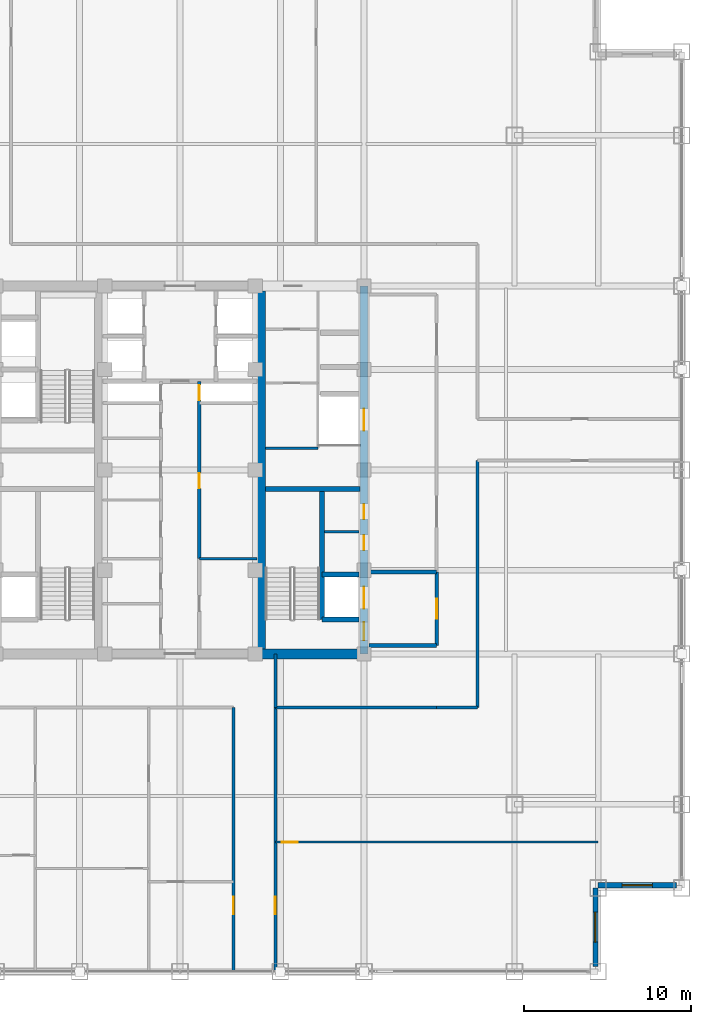
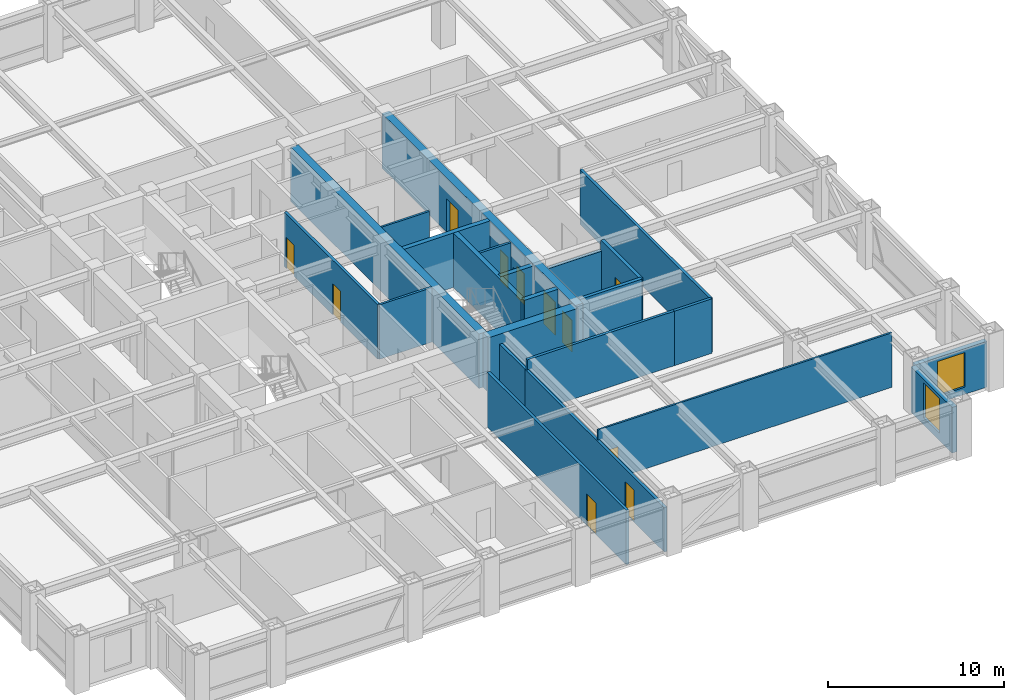
# One storey, part 21 of 24: 23 walls, 11 doors, 2 windows, 13 openings.
"""IFC4 building model written with IfcOpenShell, lengths in metres."""

import ifcopenshell
import ifcopenshell.guid

model = None  # the IFC model being written
_history = None  # IfcOwnerHistory: only IFC2X3 demands one
_inside = {}  # id of a spatial element -> (the spatial element, [elements in it])
_under = {}  # id of a project, library or spatial element -> (it, [spatial elements below it])
_declared = {}  # id of a project -> (the project, [libraries it declares])
_typed = {}  # id of a type object -> (the type object, [elements of that type])
_made_of = {}  # id of a material, layer set ... -> (it, [elements and type objects made of it])


def new_model(schema):
    """Start an empty IFC model of exactly this schema.

    Asked for "IFC4X3", IfcOpenShell would pick the latest addendum, in which some entities
    have other attributes; the version numbers below select the first issue.
    IFC2X3 requires an IfcOwnerHistory on every rooted entity: one is made here for all.
    """
    global model, _history
    if schema == "IFC4X3":
        model = ifcopenshell.file(schema_version=(4, 3, 0, 0))
    else:
        model = ifcopenshell.file(schema=schema)
    _inside.clear()
    _under.clear()
    _declared.clear()
    _typed.clear()
    _made_of.clear()
    _history = None
    if model.schema == "IFC2X3":
        org = make("IfcOrganization", Name="unknown")
        user = make(
            "IfcPersonAndOrganization",
            ThePerson=make("IfcPerson", FamilyName="unknown"),
            TheOrganization=org,
        )
        app = make(
            "IfcApplication",
            ApplicationDeveloper=org,
            Version="unknown",
            ApplicationFullName="unknown",
            ApplicationIdentifier="unknown",
        )
        _history = make(
            "IfcOwnerHistory",
            OwningUser=user,
            OwningApplication=app,
            ChangeAction="ADDED",
            CreationDate=0,
        )
    return model


def make(cls, **values):
    """One entity of the class cls with the attributes given. An attribute that is None is left unset."""
    return model.create_entity(
        cls, **{name: value for name, value in values.items() if value is not None}
    )


def rooted(cls, **values):
    """An entity with a GlobalId (a new one), such as an element, a storey or a relation."""
    return make(cls, GlobalId=ifcopenshell.guid.new(), OwnerHistory=_history, **values)


def si_unit(unit_type, name, prefix=None):
    """IfcSIUnit, for example si_unit("LENGTHUNIT", "METRE", prefix="MILLI")."""
    return make("IfcSIUnit", UnitType=unit_type, Prefix=prefix, Name=name)


def assignment(units):
    """IfcUnitAssignment: the units of a project."""
    return None if units is None else make("IfcUnitAssignment", Units=units)


def point(xyz):
    """IfcCartesianPoint."""
    return None if xyz is None else make("IfcCartesianPoint", Coordinates=xyz)


def direction(xyz):
    """IfcDirection."""
    return None if xyz is None else make("IfcDirection", DirectionRatios=xyz)


def frame(location, z_axis=None, x_axis=None):
    """IfcAxis2Placement3D, a coordinate frame: its origin and axes. An axis left out is left unset."""
    return make(
        "IfcAxis2Placement3D",
        Location=point(location),
        Axis=direction(z_axis),
        RefDirection=direction(x_axis),
    )


def frame_2d(location, x_axis=None):
    """IfcAxis2Placement2D, a coordinate frame in the plane: its origin and x axis."""
    return make(
        "IfcAxis2Placement2D", Location=point(location), RefDirection=direction(x_axis)
    )


def origin():
    """The frame at (0, 0, 0) with its axes left unset."""
    return frame((0.0, 0.0, 0.0))


def place(relative_to, where):
    """IfcLocalPlacement: puts the frame where relative to a parent placement (None: the world)."""
    return make(
        "IfcLocalPlacement", PlacementRelTo=relative_to, RelativePlacement=where
    )


def context(
    kind, dimensions, precision=None, world=None, true_north=None, identifier=None
):
    """IfcGeometricRepresentationContext, for example the 3D "Model" context."""
    return make(
        "IfcGeometricRepresentationContext",
        ContextIdentifier=identifier,
        ContextType=kind,
        CoordinateSpaceDimension=dimensions,
        Precision=precision,
        WorldCoordinateSystem=world,
        TrueNorth=true_north,
    )


def subcontext(parent, identifier, kind, view, scale=None):
    """IfcGeometricRepresentationSubContext, for example "Body" below "Model"."""
    return make(
        "IfcGeometricRepresentationSubContext",
        ContextIdentifier=identifier,
        ContextType=kind,
        ParentContext=parent,
        TargetScale=scale,
        TargetView=view,
    )


def project(units=None, contexts=None):
    """IfcProject with its units and contexts."""
    return rooted(
        "IfcProject",
        Name="project",
        RepresentationContexts=contexts,
        UnitsInContext=assignment(units),
    )


def spatial(cls, under=None, at=None, **own):
    """A site, building, storey or space (cls), placed at a placement, below another one or the project."""
    s = rooted(cls, ObjectPlacement=at, **own)
    if under is not None:
        _under.setdefault(under.id(), (under, []))[1].append(s)
    return s


def profile(cls, at=None, kind="AREA", **sizes):
    """A parametric profile (cls). Its sizes go by their IFC names, for example OverallWidth=200.0."""
    return make(cls, ProfileType=kind, Position=at, **sizes)


def rectangle(**sizes):
    """IfcRectangleProfileDef."""
    return profile("IfcRectangleProfileDef", **sizes)


def extrude(swept, where, along, depth):
    """IfcExtrudedAreaSolid: the profile swept, set in the frame where, extruded along a direction by depth."""
    return make(
        "IfcExtrudedAreaSolid",
        SweptArea=swept,
        Position=where,
        ExtrudedDirection=direction(along),
        Depth=depth,
    )


def shape(context_of_items, identifier, shape_type, items):
    """IfcShapeRepresentation: the items that make up one representation, for example the "Body"."""
    return make(
        "IfcShapeRepresentation",
        ContextOfItems=context_of_items,
        RepresentationIdentifier=identifier,
        RepresentationType=shape_type,
        Items=items,
    )


def source(mapping_origin, context_of_items, identifier, shape_type, items):
    """IfcRepresentationMap: a shape defined once, which mapped items show again and again."""
    return make(
        "IfcRepresentationMap",
        MappingOrigin=mapping_origin,
        MappedRepresentation=shape(context_of_items, identifier, shape_type, items),
    )


def transform(
    local_origin,
    x_axis=None,
    y_axis=None,
    z_axis=None,
    scale=None,
    scale2=None,
    scale3=None,
    uniform=True,
):
    """IfcCartesianTransformationOperator3D, or its non-uniform kind. x_axis, y_axis, z_axis: its Axis1, 2, 3."""
    if uniform:
        return make(
            "IfcCartesianTransformationOperator3D",
            Axis1=direction(x_axis),
            Axis2=direction(y_axis),
            LocalOrigin=point(local_origin),
            Scale=scale,
            Axis3=direction(z_axis),
        )
    return make(
        "IfcCartesianTransformationOperator3DnonUniform",
        Axis1=direction(x_axis),
        Axis2=direction(y_axis),
        LocalOrigin=point(local_origin),
        Scale=scale,
        Axis3=direction(z_axis),
        Scale2=scale2,
        Scale3=scale3,
    )


def mapped(mapping_source, mapping_target):
    """IfcMappedItem: shows the shape of a source again, moved by a transform."""
    return make(
        "IfcMappedItem", MappingSource=mapping_source, MappingTarget=mapping_target
    )


def material(Name=None, Category=None):
    """IfcMaterial."""
    return make("IfcMaterial", Name=Name, Category=Category)


def layer(
    of_material, thickness, ventilated=None, Name=None, Category=None, Priority=None
):
    """IfcMaterialLayer: one layer of a wall or slab, of a material (None: an air gap)."""
    return make(
        "IfcMaterialLayer",
        Material=of_material,
        LayerThickness=thickness,
        IsVentilated=ventilated,
        Name=Name,
        Category=Category,
        Priority=Priority,
    )


def layer_set(layers, Name=None):
    """IfcMaterialLayerSet."""
    return make("IfcMaterialLayerSet", MaterialLayers=layers, LayerSetName=Name)


def made_of(thing, what):
    """Note that an element or type object is made of a material, layer set ...; save() writes the relation."""
    if what is not None:
        _made_of.setdefault(what.id(), (what, []))[1].append(thing)
    return thing


def type_object(cls, material=None, **own):
    """A type object (cls), such as IfcWallType, which elements share."""
    return made_of(rooted(cls, **own), material)


def element(
    cls,
    number,
    at=None,
    inside=None,
    cuts=None,
    type_object=None,
    material=None,
    context=None,
    identifier="Body",
    shape_type=None,
    held_by="IfcProductDefinitionShape",
    body=None,
    shapes=None,
    **own,
):
    """One element of the class cls, such as IfcWall. Its Tag is "e" and its number.

    at: its placement. inside: the storey or other place that contains it. cuts: it is an
    opening in that element (IfcRelVoidsElement). A single representation is given by context,
    identifier, shape_type and body (its items); several are given by shapes. held_by: the class
    of the entity that holds the representations. save() writes the other relations.
    """
    e = rooted(cls, Tag="e%d" % number, ObjectPlacement=at, **own)
    if body is not None:
        shapes = [shape(context, identifier, shape_type, body)]
    if shapes is not None:
        e.Representation = make(held_by, Representations=shapes)
    if inside is not None:
        _inside.setdefault(inside.id(), (inside, []))[1].append(e)
    if cuts is not None:
        rooted(
            "IfcRelVoidsElement", RelatingBuildingElement=cuts, RelatedOpeningElement=e
        )
    if type_object is not None:
        _typed.setdefault(type_object.id(), (type_object, []))[1].append(e)
    return made_of(e, material)


def fill(opening, filler):
    """IfcRelFillsElement: the door or window that sits in an opening."""
    return rooted(
        "IfcRelFillsElement",
        RelatingOpeningElement=opening,
        RelatedBuildingElement=filler,
    )


def aggregate(whole, parts):
    """IfcRelAggregates: a whole, such as a stair, and the parts it consists of."""
    return rooted("IfcRelAggregates", RelatingObject=whole, RelatedObjects=parts)


def save(model, path):
    """Write the relations noted so far, then the file.

    IfcRelAggregates (storeys below a building ...), IfcRelContainedInSpatialStructure (elements
    in a storey), IfcRelDefinesByType, IfcRelAssociatesMaterial and IfcRelDeclares: one each for
    every whole, place, type object, material and project.
    """
    for whole, parts in _under.values():
        aggregate(whole, parts)
    for where, things in _inside.values():
        rooted(
            "IfcRelContainedInSpatialStructure",
            RelatedElements=things,
            RelatingStructure=where,
        )
    for kind, things in _typed.values():
        rooted("IfcRelDefinesByType", RelatedObjects=things, RelatingType=kind)
    for what, things in _made_of.values():
        rooted("IfcRelAssociatesMaterial", RelatedObjects=things, RelatingMaterial=what)
    for by, libraries in _declared.values():
        rooted("IfcRelDeclares", RelatingContext=by, RelatedDefinitions=libraries)
    model.write(path)


model = new_model("IFC4")

# Units and contexts
model_context = context("Model", 3, precision=1e-05, world=origin(), true_north=direction((0.0, 1.0)))
body_context = subcontext(model_context, "Body", "Model", "MODEL_VIEW")
ifc_project = project(units=[si_unit("LENGTHUNIT", "METRE"), si_unit("AREAUNIT", "SQUARE_METRE"), si_unit("VOLUMEUNIT", "CUBIC_METRE"), si_unit("PLANEANGLEUNIT", "RADIAN"), si_unit("MASSUNIT", "GRAM", prefix="KILO")], contexts=[model_context])

# Site, building, storey
site_placement = place(None, origin())
site = spatial("IfcSite", under=ifc_project, at=site_placement, CompositionType="ELEMENT")
building_placement = place(site_placement, origin())
building = spatial("IfcBuilding", under=site, at=building_placement, Name="Khorayat Bourse Tower", CompositionType="ELEMENT")
storey_placement = place(building_placement, frame((0.0, 0.0, 215.10009765625)))
storey = spatial("IfcBuildingStorey", under=building, at=storey_placement, Name="L50", CompositionType="ELEMENT", Elevation=215.10009765625)

# Wall
ifc_material_1 = material(Name="Concrete C52/65", Category="concrete")
ifc_layer_1 = layer(ifc_material_1, 0.5)
ifc_layer_set_1 = layer_set([ifc_layer_1], Name="Concrete C52/65")
wall_type_1 = type_object("IfcWallType", Name="WAL-CORE-500", PredefinedType="SHEAR", material=ifc_layer_set_1)
shared_shape_1 = source(origin(), body_context, "Body", "SweptSolid", [
    extrude(rectangle(XDim=21.39990234375, YDim=0.5, at=frame_2d((10.699951171875, 0.0))), origin(), (0.0, 0.0, 1.0), 3.77978515625),
])
wall_1_placement = place(storey_placement, frame((4.85009765625, -10.699951171875, 0.0), z_axis=(0.0, 0.0, 1.0), x_axis=(0.0, 1.0, 0.0)))
element("IfcWall", 1, at=wall_1_placement, inside=storey, type_object=wall_type_1, Name="L50 Core Shear Wall PIER-E", PredefinedType="SHEAR", context=body_context, shape_type="MappedRepresentation", body=[
    mapped(shared_shape_1, transform((0.0, 0.0, 0.0), scale=1.0)),
])

# Wall, openings, doors
shared_shape_2 = source(origin(), body_context, "Body", "SweptSolid", [
    extrude(rectangle(XDim=22.0, YDim=0.5, at=frame_2d((11.0, 0.0))), origin(), (0.0, 0.0, 1.0), 3.77978515625),
])
wall_2_placement = place(storey_placement, frame((11.0, -11.0, 0.0), z_axis=(0.0, 0.0, 1.0), x_axis=(0.0, 1.0, 0.0)))
wall_2 = element("IfcWall", 2, at=wall_2_placement, inside=storey, type_object=wall_type_1, Name="L50 Core Shear Wall CORE-E", PredefinedType="SHEAR", context=body_context, shape_type="MappedRepresentation", body=[
    mapped(shared_shape_2, transform((0.0, 0.0, 0.0), scale=1.0)),
])
shared_shape_3 = source(origin(), body_context, "Body", "SweptSolid", [
    extrude(rectangle(XDim=1.10009765625, YDim=2.199951171875, at=frame_2d((0.550048828125, 1.10009765625))), frame((0.0, 0.260009765625, 0.0), z_axis=(0.0, -1.0, 0.0), x_axis=(1.0, 0.0, 0.0)), (0.0, 0.0, 1.0), 0.52001953125),
])
opening_1_placement = place(wall_2_placement, frame((0.800048828125, 0.0, 0.0)))
opening_1 = element("IfcOpeningElement", 3, at=opening_1_placement, cuts=wall_2, Name="Opening DI-01", PredefinedType="OPENING", context=body_context, shape_type="MappedRepresentation", body=[
    mapped(shared_shape_3, transform((0.0, 0.0, 0.0), scale=1.0)),
])
shared_shape_4 = source(origin(), body_context, "Body", "SweptSolid", [
    extrude(rectangle(XDim=0.89990234375, YDim=2.14990234375, at=frame_2d((0.449951171875, 1.074951171875))), frame((0.0, 0.260009765625, 0.0), z_axis=(0.0, -1.0, 0.0), x_axis=(1.0, 0.0, 0.0)), (0.0, 0.0, 1.0), 0.52001953125),
])
opening_2_placement = place(wall_2_placement, frame((6.199951171875, 0.0, 0.0)))
opening_2 = element("IfcOpeningElement", 4, at=opening_2_placement, cuts=wall_2, Name="Opening DI-06", PredefinedType="OPENING", context=body_context, shape_type="MappedRepresentation", body=[
    mapped(shared_shape_4, transform((0.0, 0.0, 0.0), scale=1.0)),
])
opening_3_placement = place(wall_2_placement, frame((8.050048828125, 0.0, 0.0)))
opening_3 = element("IfcOpeningElement", 5, at=opening_3_placement, cuts=wall_2, Name="Opening DI-06", PredefinedType="OPENING", context=body_context, shape_type="MappedRepresentation", body=[
    mapped(shared_shape_4, transform((0.0, 0.0, 0.0), scale=1.0)),
])
shared_shape_5 = source(origin(), body_context, "Body", "SweptSolid", [
    extrude(rectangle(XDim=1.300048828125, YDim=2.300048828125, at=frame_2d((0.64990234375, 1.14990234375))), frame((0.0, 0.260009765625, 0.0), z_axis=(0.0, -1.0, 0.0), x_axis=(1.0, 0.0, 0.0)), (0.0, 0.0, 1.0), 0.52001953125),
])
opening_4_placement = place(wall_2_placement, frame((2.699951171875, 0.0, 0.0)))
opening_4 = element("IfcOpeningElement", 6, at=opening_4_placement, cuts=wall_2, Name="Opening LD-02", PredefinedType="OPENING", context=body_context, shape_type="MappedRepresentation", body=[
    mapped(shared_shape_5, transform((0.0, 0.0, 0.0), scale=1.0)),
])
opening_5_placement = place(wall_2_placement, frame((13.35009765625, 0.0, 0.0)))
opening_5 = element("IfcOpeningElement", 7, at=opening_5_placement, cuts=wall_2, Name="Opening LD-02", PredefinedType="OPENING", context=body_context, shape_type="MappedRepresentation", body=[
    mapped(shared_shape_5, transform((0.0, 0.0, 0.0), scale=1.0)),
])
ifc_material_2 = material(Name="Fire-rated steel acoustic leaf", Category="steel")
door_type_1 = type_object("IfcDoorType", Name="DR-INT-STAIR-1100", OperationType="NOTDEFINED", PredefinedType="DOOR", material=ifc_material_2)
shared_shape_6 = source(origin(), body_context, "Body", "SweptSolid", [
    extrude(rectangle(XDim=1.10009765625, YDim=2.199951171875, at=frame_2d((0.550048828125, 1.10009765625))), frame((0.0, 0.02490234375, 0.0), z_axis=(0.0, -1.0, 0.0), x_axis=(1.0, 0.0, 0.0)), (0.0, 0.0, 1.0), 0.050048828125),
])
door_1_placement = place(opening_1_placement, origin())
door_1 = element("IfcDoor", 8, at=door_1_placement, inside=storey, type_object=door_type_1, Name="L50 Exit Stair 3 Door", OperationType="SINGLE_SWING_LEFT", OverallHeight=2.199951171875, OverallWidth=1.10009765625, PredefinedType="DOOR", context=body_context, shape_type="MappedRepresentation", body=[
    mapped(shared_shape_6, transform((0.0, 0.0, 0.0), scale=1.0)),
])
fill(opening_1, door_1)
ifc_material_3 = material(Name="Moisture-resistant laminate washroom door")
door_type_2 = type_object("IfcDoorType", Name="DR-INT-WC-900", OperationType="NOTDEFINED", PredefinedType="DOOR", material=ifc_material_3)
shared_shape_7 = source(origin(), body_context, "Body", "SweptSolid", [
    extrude(rectangle(XDim=0.89990234375, YDim=2.14990234375, at=frame_2d((0.449951171875, 1.074951171875))), frame((0.0, 0.02490234375, 0.0), z_axis=(0.0, -1.0, 0.0), x_axis=(1.0, 0.0, 0.0)), (0.0, 0.0, 1.0), 0.050048828125),
])
door_2_placement = place(opening_2_placement, origin())
door_2 = element("IfcDoor", 9, at=door_2_placement, inside=storey, type_object=door_type_2, Name="L50 Comms Closet Door", OperationType="SINGLE_SWING_LEFT", OverallHeight=2.14990234375, OverallWidth=0.89990234375, PredefinedType="DOOR", context=body_context, shape_type="MappedRepresentation", body=[
    mapped(shared_shape_7, transform((0.0, 0.0, 0.0), scale=1.0)),
])
fill(opening_2, door_2)
door_3_placement = place(opening_3_placement, origin())
door_3 = element("IfcDoor", 10, at=door_3_placement, inside=storey, type_object=door_type_2, Name="L50 Cleaner Store Door", OperationType="SINGLE_SWING_RIGHT", OverallHeight=2.14990234375, OverallWidth=0.89990234375, PredefinedType="DOOR", context=body_context, shape_type="MappedRepresentation", body=[
    mapped(shared_shape_7, transform((0.0, 0.0, 0.0), scale=1.0)),
])
fill(opening_3, door_3)
ifc_material_4 = material(Name="Fire-rated stainless-steel sliding landing door", Category="steel")
door_type_3 = type_object("IfcDoorType", Name="DR-LIFT-FF-1300", OperationType="NOTDEFINED", PredefinedType="DOOR", material=ifc_material_4)
shared_shape_8 = source(origin(), body_context, "Body", "SweptSolid", [
    extrude(rectangle(XDim=1.300048828125, YDim=2.300048828125, at=frame_2d((0.64990234375, 1.14990234375))), frame((0.0, 0.02490234375, 0.0), z_axis=(0.0, -1.0, 0.0), x_axis=(1.0, 0.0, 0.0)), (0.0, 0.0, 1.0), 0.050048828125),
])
door_4_placement = place(opening_4_placement, origin())
door_4 = element("IfcDoor", 11, at=door_4_placement, inside=storey, type_object=door_type_3, Name="L50 Lift FFL-02 Sliding Landing Door", OperationType="SLIDING_TO_LEFT", OverallHeight=2.300048828125, OverallWidth=1.300048828125, PredefinedType="DOOR", context=body_context, shape_type="MappedRepresentation", body=[
    mapped(shared_shape_8, transform((0.0, 0.0, 0.0), scale=1.0)),
])
fill(opening_4, door_4)
door_5_placement = place(opening_5_placement, origin())
door_5 = element("IfcDoor", 12, at=door_5_placement, inside=storey, type_object=door_type_3, Name="L50 Lift SVL-01 Sliding Landing Door", OperationType="SLIDING_TO_LEFT", OverallHeight=2.300048828125, OverallWidth=1.300048828125, PredefinedType="DOOR", context=body_context, shape_type="MappedRepresentation", body=[
    mapped(shared_shape_8, transform((0.0, 0.0, 0.0), scale=1.0)),
])
fill(opening_5, door_5)

# Walls
ifc_material_5 = material(Name="Concrete C60/75", Category="concrete")
ifc_layer_2 = layer(ifc_material_5, 0.60009765625)
ifc_layer_set_2 = layer_set([ifc_layer_2], Name="Concrete C60/75")
wall_type_2 = type_object("IfcWallType", Name="WAL-CORE-600", PredefinedType="SHEAR", material=ifc_layer_set_2)
shared_shape_9 = source(origin(), body_context, "Body", "SweptSolid", [
    extrude(rectangle(XDim=5.89990234375, YDim=0.60009765625, at=frame_2d((2.949951171875, 0.0))), origin(), (0.0, 0.0, 1.0), 3.77978515625),
])
wall_3_placement = place(storey_placement, frame((4.85009765625, -11.0, 0.0), z_axis=(0.0, 0.0, 1.0), x_axis=(1.0, 0.0, 0.0)))
element("IfcWall", 13, at=wall_3_placement, inside=storey, type_object=wall_type_2, Name="L50 Core Shear Wall PIER-ES", PredefinedType="SHEAR", context=body_context, shape_type="MappedRepresentation", body=[
    mapped(shared_shape_9, transform((0.0, 0.0, 0.0), scale=1.0)),
])
ifc_material_6 = material(Name="Concrete C50/60", Category="concrete")
ifc_layer_3 = layer(ifc_material_6, 0.300048828125)
ifc_layer_set_3 = layer_set([ifc_layer_3], Name="Concrete C50/60")
wall_type_3 = type_object("IfcWallType", Name="WAL-SHAFT-300", PredefinedType="SHEAR", material=ifc_layer_set_3)
shared_shape_10 = source(origin(), body_context, "Body", "SweptSolid", [
    extrude(rectangle(XDim=5.64990234375, YDim=0.300048828125, at=frame_2d((2.824951171875, 0.0))), origin(), (0.0, 0.0, 1.0), 3.77978515625),
])
wall_4_placement = place(storey_placement, frame((5.10009765625, -1.14990234375, 0.0), z_axis=(0.0, 0.0, 1.0), x_axis=(1.0, 0.0, 0.0)))
element("IfcWall", 14, at=wall_4_placement, inside=storey, type_object=wall_type_3, Name="L50 Core Shear Wall ST3-DIV", PredefinedType="SHEAR", context=body_context, shape_type="MappedRepresentation", body=[
    mapped(shared_shape_10, transform((0.0, 0.0, 0.0), scale=1.0)),
])

# Wall, opening, window
ifc_material_7 = material(Name="Precast concrete C45/55", Category="concrete")
ifc_layer_4 = layer(ifc_material_7, 0.320068359375)
ifc_layer_set_4 = layer_set([ifc_layer_4], Name="Precast concrete C45/55")
wall_type_4 = type_object("IfcWallType", Name="WAL-EXT-STONE-320", PredefinedType="STANDARD", material=ifc_layer_set_4)
shared_shape_11 = source(origin(), body_context, "Body", "SweptSolid", [
    extrude(rectangle(XDim=4.679931640625, YDim=0.320068359375, at=frame_2d((2.33984375, 0.0))), origin(), (0.0, 0.0, 1.0), 3.163818359375),
])
wall_5_placement = place(storey_placement, frame((24.840087890625, -29.679931640625, 0.0), z_axis=(0.0, 0.0, 1.0), x_axis=(0.0, 1.0, 0.0)))
wall_5 = element("IfcWall", 15, at=wall_5_placement, inside=storey, type_object=wall_type_4, Name="L50 Re-Entrant Notch Limestone Wall SE-V", PredefinedType="STANDARD", context=body_context, shape_type="MappedRepresentation", body=[
    mapped(shared_shape_11, transform((0.0, 0.0, 0.0), scale=1.0)),
])
shared_shape_12 = source(origin(), body_context, "Body", "SweptSolid", [
    extrude(rectangle(XDim=1.800048828125, YDim=2.39990234375, at=frame_2d((0.89990234375, 1.199951171875))), frame((0.0, 0.169921875, 0.0), z_axis=(0.0, -1.0, 0.0), x_axis=(1.0, 0.0, 0.0)), (0.0, 0.0, 1.0), 0.340087890625),
])
opening_6_placement = place(wall_5_placement, frame((1.43994140625, 0.0, 0.5)))
opening_6 = element("IfcOpeningElement", 16, at=opening_6_placement, cuts=wall_5, Name="Opening WN-04", PredefinedType="OPENING", context=body_context, shape_type="MappedRepresentation", body=[
    mapped(shared_shape_12, transform((0.0, 0.0, 0.0), scale=1.0)),
])
ifc_material_8 = material(Name="Low-E acoustic laminated double glazing", Category="glass")
window_type = type_object("IfcWindowType", Name="WIN-NOTCH-1800x2400", PartitioningType="SINGLE_PANEL", PredefinedType="WINDOW", material=ifc_material_8)
shared_shape_13 = source(origin(), body_context, "Body", "SweptSolid", [
    extrude(rectangle(XDim=1.800048828125, YDim=2.39990234375, at=frame_2d((0.89990234375, 1.199951171875))), frame((0.0, 0.030029296875, 0.0), z_axis=(0.0, -1.0, 0.0), x_axis=(1.0, 0.0, 0.0)), (0.0, 0.0, 1.0), 0.06005859375),
])
window_1_placement = place(opening_6_placement, origin())
window_1 = element("IfcWindow", 17, at=window_1_placement, inside=storey, type_object=window_type, Name="L50 Facade Window 1", OverallHeight=2.39990234375, OverallWidth=1.800048828125, PartitioningType="SINGLE_PANEL", PredefinedType="WINDOW", context=body_context, shape_type="MappedRepresentation", body=[
    mapped(shared_shape_13, transform((0.0, 0.0, 0.0), scale=1.0)),
])
fill(opening_6, window_1)

wall_6_placement = place(storey_placement, frame((25.0, -24.840087890625, 0.0), z_axis=(0.0, 0.0, 1.0), x_axis=(1.0, 0.0, 0.0)))
wall_6 = element("IfcWall", 18, at=wall_6_placement, inside=storey, type_object=wall_type_4, Name="L50 Re-Entrant Notch Limestone Wall SE-H", PredefinedType="STANDARD", context=body_context, shape_type="MappedRepresentation", body=[
    mapped(shared_shape_11, transform((0.0, 0.0, 0.0), scale=1.0)),
])
opening_7_placement = place(wall_6_placement, frame((1.43994140625, 0.0, 0.5)))
opening_7 = element("IfcOpeningElement", 19, at=opening_7_placement, cuts=wall_6, Name="Opening WN-04", PredefinedType="OPENING", context=body_context, shape_type="MappedRepresentation", body=[
    mapped(shared_shape_12, transform((0.0, 0.0, 0.0), scale=1.0)),
])
window_2_placement = place(opening_7_placement, origin())
window_2 = element("IfcWindow", 20, at=window_2_placement, inside=storey, type_object=window_type, Name="L50 Facade Window 1", OverallHeight=2.39990234375, OverallWidth=1.800048828125, PartitioningType="SINGLE_PANEL", PredefinedType="WINDOW", context=body_context, shape_type="MappedRepresentation", body=[
    mapped(shared_shape_13, transform((0.0, 0.0, 0.0), scale=1.0)),
])
fill(opening_7, window_2)

# Walls
ifc_material_9 = material(Name="Aerated concrete blockwork", Category="masonry")
ifc_layer_5 = layer(ifc_material_9, 0.219970703125)
ifc_layer_set_5 = layer_set([ifc_layer_5], Name="Aerated concrete blockwork")
wall_type_5 = type_object("IfcWallType", Name="WAL-PART-FF-220", PredefinedType="PARTITIONING", material=ifc_layer_set_5)
shared_shape_14 = source(origin(), body_context, "Body", "SweptSolid", [
    extrude(rectangle(XDim=4.050048828125, YDim=0.219970703125, at=frame_2d((2.02490234375, 0.0))), origin(), (0.0, 0.0, 1.0), 3.0849609375),
])
wall_7_placement = place(storey_placement, frame((11.300048828125, -6.10009765625, 0.0), z_axis=(0.0, 0.0, 1.0), x_axis=(1.0, 0.0, 0.0)))
element("IfcWall", 21, at=wall_7_placement, inside=storey, type_object=wall_type_5, Name="L50 Partition WAL-L50-FFLE-N", PredefinedType="PARTITIONING", context=body_context, shape_type="MappedRepresentation", body=[
    mapped(shared_shape_14, transform((0.0, 0.0, 0.0), scale=1.0)),
])
shared_shape_15 = source(origin(), body_context, "Body", "SweptSolid", [
    extrude(rectangle(XDim=7.800048828125, YDim=0.300048828125, at=frame_2d((3.89990234375, 0.0))), origin(), (0.0, 0.0, 1.0), 3.77978515625),
])
wall_8_placement = place(storey_placement, frame((8.5, -8.949951171875, 0.0), z_axis=(0.0, 0.0, 1.0), x_axis=(0.0, 1.0, 0.0)))
element("IfcWall", 22, at=wall_8_placement, inside=storey, type_object=wall_type_3, Name="L50 Partition WAL-L50-EPIER-SP", PredefinedType="SHEAR", context=body_context, shape_type="MappedRepresentation", body=[
    mapped(shared_shape_15, transform((0.0, 0.0, 0.0), scale=1.0)),
])
shared_shape_16 = source(origin(), body_context, "Body", "SweptSolid", [
    extrude(rectangle(XDim=2.199951171875, YDim=0.300048828125, at=frame_2d((1.10009765625, 0.0))), origin(), (0.0, 0.0, 1.0), 3.77978515625),
])
for number, where, z_axis, x_axis, name in (
    (23, (8.5, -8.949951171875, 0.0), (0.0, 0.0, 1.0), (1.0, 0.0, 0.0), "L50 Partition WAL-L50-EPIER-FF2S"),
    (24, (8.5, -6.25, 0.0), (0.0, 0.0, 1.0), (1.0, 0.0, 0.0), "L50 Partition WAL-L50-EPIER-FF2N"),
):
    element("IfcWall", number, at=place(storey_placement, frame(where, z_axis=z_axis, x_axis=x_axis)), inside=storey, type_object=wall_type_3, Name=name, PredefinedType="SHEAR", context=body_context, shape_type="MappedRepresentation", body=[
        mapped(shared_shape_16, transform((0.0, 0.0, 0.0), scale=1.0)),
    ])
ifc_material_10 = material(Name="Gypsum plasterboard twin-frame partition")
ifc_layer_6 = layer(ifc_material_10, 0.14990234375)
ifc_layer_set_6 = layer_set([ifc_layer_6], Name="Gypsum plasterboard twin-frame partition")
wall_type_6 = type_object("IfcWallType", Name="WAL-PART-SUITE-150", PredefinedType="PARTITIONING", material=ifc_layer_set_6)
shared_shape_17 = source(origin(), body_context, "Body", "SweptSolid", [
    extrude(rectangle(XDim=2.050048828125, YDim=0.14990234375, at=frame_2d((1.02490234375, 0.0))), origin(), (0.0, 0.0, 1.0), 3.77978515625),
])
wall_9_placement = place(storey_placement, frame((8.64990234375, -3.699951171875, 0.0), z_axis=(0.0, 0.0, 1.0), x_axis=(1.0, 0.0, 0.0)))
element("IfcWall", 25, at=wall_9_placement, inside=storey, type_object=wall_type_6, Name="L50 Partition WAL-L50-ESRV-D1", PredefinedType="PARTITIONING", context=body_context, shape_type="MappedRepresentation", body=[
    mapped(shared_shape_17, transform((0.0, 0.0, 0.0), scale=1.0)),
])
ifc_material_11 = material(Name="Moisture-resistant masonry partition", Category="masonry")
ifc_layer_7 = layer(ifc_material_11, 0.139892578125)
ifc_layer_set_7 = layer_set([ifc_layer_7], Name="Moisture-resistant masonry partition")
wall_type_7 = type_object("IfcWallType", Name="WAL-PART-WET-140", PredefinedType="PARTITIONING", material=ifc_layer_set_7)
shared_shape_18 = source(origin(), body_context, "Body", "SweptSolid", [
    extrude(rectangle(XDim=3.14990234375, YDim=0.139892578125, at=frame_2d((1.574951171875, 0.0))), origin(), (0.0, 0.0, 1.0), 3.77978515625),
])
wall_10_placement = place(storey_placement, frame((5.10009765625, 1.300048828125, 0.0), z_axis=(0.0, 0.0, 1.0), x_axis=(1.0, 0.0, 0.0)))
element("IfcWall", 26, at=wall_10_placement, inside=storey, type_object=wall_type_7, Name="L50 Partition WAL-L50-ECORE-S", PredefinedType="PARTITIONING", context=body_context, shape_type="MappedRepresentation", body=[
    mapped(shared_shape_18, transform((0.0, 0.0, 0.0), scale=1.0)),
])
shared_shape_19 = source(origin(), body_context, "Body", "SweptSolid", [
    extrude(rectangle(XDim=4.050048828125, YDim=0.219970703125, at=frame_2d((2.02490234375, 0.0))), origin(), (0.0, 0.0, 1.0), 3.77978515625),
])
wall_11_placement = place(storey_placement, frame((11.300048828125, -10.5, 0.0), z_axis=(0.0, 0.0, 1.0), x_axis=(1.0, 0.0, 0.0)))
element("IfcWall", 27, at=wall_11_placement, inside=storey, type_object=wall_type_5, Name="L50 Partition WAL-L50-FFLE-S", PredefinedType="PARTITIONING", context=body_context, shape_type="MappedRepresentation", body=[
    mapped(shared_shape_19, transform((0.0, 0.0, 0.0), scale=1.0)),
])

# Wall, opening, door
shared_shape_20 = source(origin(), body_context, "Body", "SweptSolid", [
    extrude(rectangle(XDim=4.39990234375, YDim=0.219970703125, at=frame_2d((2.199951171875, 0.0))), origin(), (0.0, 0.0, 1.0), 3.77978515625),
])
wall_12_placement = place(storey_placement, frame((15.35009765625, -10.5, 0.0), z_axis=(0.0, 0.0, 1.0), x_axis=(0.0, 1.0, 0.0)))
wall_12 = element("IfcWall", 28, at=wall_12_placement, inside=storey, type_object=wall_type_5, Name="L50 Partition WAL-L50-FFLE-E", PredefinedType="PARTITIONING", context=body_context, shape_type="MappedRepresentation", body=[
    mapped(shared_shape_20, transform((0.0, 0.0, 0.0), scale=1.0)),
])
shared_shape_21 = source(origin(), body_context, "Body", "SweptSolid", [
    extrude(rectangle(XDim=1.199951171875, YDim=2.199951171875, at=frame_2d((0.60009765625, 1.10009765625))), frame((0.0, 0.119873046875, 0.0), z_axis=(0.0, -1.0, 0.0), x_axis=(1.0, 0.0, 0.0)), (0.0, 0.0, 1.0), 0.239990234375),
])
opening_8_placement = place(wall_12_placement, frame((1.60009765625, 0.0, 0.0)))
opening_8 = element("IfcOpeningElement", 29, at=opening_8_placement, cuts=wall_12, Name="Opening DI-02", PredefinedType="OPENING", context=body_context, shape_type="MappedRepresentation", body=[
    mapped(shared_shape_21, transform((0.0, 0.0, 0.0), scale=1.0)),
])
ifc_material_12 = material(Name="Fire-rated steel double-seal leaf", Category="steel")
door_type_4 = type_object("IfcDoorType", Name="DR-INT-FFLOBBY-1200", OperationType="NOTDEFINED", PredefinedType="DOOR", material=ifc_material_12)
shared_shape_22 = source(origin(), body_context, "Body", "SweptSolid", [
    extrude(rectangle(XDim=1.199951171875, YDim=2.199951171875, at=frame_2d((0.60009765625, 1.10009765625))), frame((0.0, 0.02490234375, 0.0), z_axis=(0.0, -1.0, 0.0), x_axis=(1.0, 0.0, 0.0)), (0.0, 0.0, 1.0), 0.050048828125),
])
door_6_placement = place(opening_8_placement, origin())
door_6 = element("IfcDoor", 30, at=door_6_placement, inside=storey, type_object=door_type_4, Name="L50 East Firefighting Lobby Door", OperationType="SINGLE_SWING_RIGHT", OverallHeight=2.199951171875, OverallWidth=1.199951171875, PredefinedType="DOOR", context=body_context, shape_type="MappedRepresentation", body=[
    mapped(shared_shape_22, transform((0.0, 0.0, 0.0), scale=1.0)),
])
fill(opening_8, door_6)

# Wall
shared_shape_23 = source(origin(), body_context, "Body", "SweptSolid", [
    extrude(rectangle(XDim=3.4501953125, YDim=0.14990234375, at=frame_2d((1.72509765625, 0.0))), origin(), (0.0, 0.0, 1.0), 3.77978515625),
])
wall_13_placement = place(storey_placement, frame((1.14990234375, -5.300048828125, 0.0), z_axis=(0.0, 0.0, 1.0), x_axis=(1.0, 0.0, 0.0)))
element("IfcWall", 31, at=wall_13_placement, inside=storey, type_object=wall_type_6, Name="L50 Partition WAL-L50-FB1-NE", PredefinedType="PARTITIONING", context=body_context, shape_type="MappedRepresentation", body=[
    mapped(shared_shape_23, transform((0.0, 0.0, 0.0), scale=1.0)),
])

# Wall, openings, doors
ifc_material_13 = material(Name="Gypsum plasterboard acoustic stud wall")
ifc_layer_8 = layer(ifc_material_13, 0.179931640625)
ifc_layer_set_8 = layer_set([ifc_layer_8], Name="Gypsum plasterboard acoustic stud wall")
wall_type_8 = type_object("IfcWallType", Name="WAL-PART-CORR-180", PredefinedType="PARTITIONING", material=ifc_layer_set_8)
shared_shape_24 = source(origin(), body_context, "Body", "SweptSolid", [
    extrude(rectangle(XDim=10.60009765625, YDim=0.179931640625, at=frame_2d((5.300048828125, 0.0))), origin(), (0.0, 0.0, 1.0), 3.77978515625),
])
wall_14_placement = place(storey_placement, frame((1.14990234375, -5.300048828125, 0.0), z_axis=(0.0, 0.0, 1.0), x_axis=(0.0, 1.0, 0.0)))
wall_14 = element("IfcWall", 32, at=wall_14_placement, inside=storey, type_object=wall_type_8, Name="L50 Partition WAL-L50-CME-L", PredefinedType="PARTITIONING", context=body_context, shape_type="MappedRepresentation", body=[
    mapped(shared_shape_24, transform((0.0, 0.0, 0.0), scale=1.0)),
])
shared_shape_25 = source(origin(), body_context, "Body", "SweptSolid", [
    extrude(rectangle(XDim=0.89990234375, YDim=2.14990234375, at=frame_2d((0.449951171875, 1.074951171875))), frame((0.0, 0.099853515625, 0.0), z_axis=(0.0, -1.0, 0.0), x_axis=(1.0, 0.0, 0.0)), (0.0, 0.0, 1.0), 0.199951171875),
])
opening_9_placement = place(wall_14_placement, frame((4.199951171875, 0.0, 0.0)))
opening_9 = element("IfcOpeningElement", 33, at=opening_9_placement, cuts=wall_14, Name="Opening DI-06", PredefinedType="OPENING", context=body_context, shape_type="MappedRepresentation", body=[
    mapped(shared_shape_25, transform((0.0, 0.0, 0.0), scale=1.0)),
])
opening_10_placement = place(wall_14_placement, frame((9.47509765625, 0.0, 0.0)))
opening_10 = element("IfcOpeningElement", 34, at=opening_10_placement, cuts=wall_14, Name="Opening DI-06", PredefinedType="OPENING", context=body_context, shape_type="MappedRepresentation", body=[
    mapped(shared_shape_25, transform((0.0, 0.0, 0.0), scale=1.0)),
])
door_7_placement = place(opening_9_placement, origin())
door_7 = element("IfcDoor", 35, at=door_7_placement, inside=storey, type_object=door_type_2, Name="L50 Female Core Washroom Door", OperationType="SINGLE_SWING_RIGHT", OverallHeight=2.14990234375, OverallWidth=0.89990234375, PredefinedType="DOOR", context=body_context, shape_type="MappedRepresentation", body=[
    mapped(shared_shape_7, transform((0.0, 0.0, 0.0), scale=1.0)),
])
fill(opening_9, door_7)
door_8_placement = place(opening_10_placement, origin())
door_8 = element("IfcDoor", 36, at=door_8_placement, inside=storey, type_object=door_type_2, Name="L50 East Core Riser Door", OperationType="SINGLE_SWING_RIGHT", OverallHeight=2.14990234375, OverallWidth=0.89990234375, PredefinedType="DOOR", context=body_context, shape_type="MappedRepresentation", body=[
    mapped(shared_shape_7, transform((0.0, 0.0, 0.0), scale=1.0)),
])
fill(opening_10, door_8)

# Wall
shared_shape_26 = source(origin(), body_context, "Body", "SweptSolid", [
    extrude(rectangle(XDim=2.449951171875, YDim=0.179931640625, at=frame_2d((1.22509765625, 0.0))), origin(), (0.0, 0.0, 1.0), 3.77978515625),
])
wall_15_placement = place(storey_placement, frame((15.35009765625, -14.199951171875, 0.0), z_axis=(0.0, 0.0, 1.0), x_axis=(1.0, 0.0, 0.0)))
element("IfcWall", 37, at=wall_15_placement, inside=storey, type_object=wall_type_8, Name="L50 Partition WAL-L50-C2-ES", PredefinedType="PARTITIONING", context=body_context, shape_type="MappedRepresentation", body=[
    mapped(shared_shape_26, transform((0.0, 0.0, 0.0), scale=1.0)),
])

# Wall, opening, door
shared_shape_27 = source(origin(), body_context, "Body", "SweptSolid", [
    extrude(rectangle(XDim=15.800048828125, YDim=0.179931640625, at=frame_2d((7.89990234375, 0.0))), origin(), (0.0, 0.0, 1.0), 3.77978515625),
])
wall_16_placement = place(storey_placement, frame((3.199951171875, -30.0, 0.0), z_axis=(0.0, 0.0, 1.0), x_axis=(0.0, 1.0, 0.0)))
wall_16 = element("IfcWall", 38, at=wall_16_placement, inside=storey, type_object=wall_type_8, Name="L50 Partition WAL-L50-QSW-SPK", PredefinedType="PARTITIONING", context=body_context, shape_type="MappedRepresentation", body=[
    mapped(shared_shape_27, transform((0.0, 0.0, 0.0), scale=1.0)),
])
shared_shape_28 = source(origin(), body_context, "Body", "SweptSolid", [
    extrude(rectangle(XDim=1.050048828125, YDim=2.199951171875, at=frame_2d((0.52490234375, 1.10009765625))), frame((0.0, 0.099853515625, 0.0), z_axis=(0.0, -1.0, 0.0), x_axis=(1.0, 0.0, 0.0)), (0.0, 0.0, 1.0), 0.199951171875),
])
opening_11_placement = place(wall_16_placement, frame((3.425048828125, 0.0, 0.0)))
opening_11 = element("IfcOpeningElement", 39, at=opening_11_placement, cuts=wall_16, Name="Opening DI-04", PredefinedType="OPENING", context=body_context, shape_type="MappedRepresentation", body=[
    mapped(shared_shape_28, transform((0.0, 0.0, 0.0), scale=1.0)),
])
ifc_material_14 = material(Name="Fire-rated oak veneer suite entrance door")
door_type_5 = type_object("IfcDoorType", Name="DR-INT-SUITE-1050", OperationType="NOTDEFINED", PredefinedType="DOOR", material=ifc_material_14)
shared_shape_29 = source(origin(), body_context, "Body", "SweptSolid", [
    extrude(rectangle(XDim=1.050048828125, YDim=2.199951171875, at=frame_2d((0.52490234375, 1.10009765625))), frame((0.0, 0.02490234375, 0.0), z_axis=(0.0, -1.0, 0.0), x_axis=(1.0, 0.0, 0.0)), (0.0, 0.0, 1.0), 0.050048828125),
])
door_9_placement = place(opening_11_placement, origin())
door_9 = element("IfcDoor", 40, at=door_9_placement, inside=storey, type_object=door_type_5, Name="L50 South-West Radial Spoke Entry", OperationType="SINGLE_SWING_LEFT", OverallHeight=2.199951171875, OverallWidth=1.050048828125, PredefinedType="DOOR", context=body_context, shape_type="MappedRepresentation", body=[
    mapped(shared_shape_29, transform((0.0, 0.0, 0.0), scale=1.0)),
])
fill(opening_11, door_9)

# Walls
shared_shape_30 = source(origin(), body_context, "Body", "SweptSolid", [
    extrude(rectangle(XDim=9.650146484375, YDim=0.179931640625, at=frame_2d((4.8251953125, 0.0))), origin(), (0.0, 0.0, 1.0), 3.77978515625),
])
wall_17_placement = place(storey_placement, frame((5.699951171875, -14.199951171875, 0.0), z_axis=(0.0, 0.0, 1.0), x_axis=(1.0, 0.0, 0.0)))
element("IfcWall", 41, at=wall_17_placement, inside=storey, type_object=wall_type_8, Name="L50 Partition WAL-L50-QSE-HC", PredefinedType="PARTITIONING", context=body_context, shape_type="MappedRepresentation", body=[
    mapped(shared_shape_30, transform((0.0, 0.0, 0.0), scale=1.0)),
])
shared_shape_31 = source(origin(), body_context, "Body", "SweptSolid", [
    extrude(rectangle(XDim=3.199951171875, YDim=0.179931640625, at=frame_2d((1.60009765625, 0.0))), origin(), (0.0, 0.0, 1.0), 3.0849609375),
])
wall_18_placement = place(storey_placement, frame((5.699951171875, -14.199951171875, 0.0), z_axis=(0.0, 0.0, 1.0), x_axis=(0.0, 1.0, 0.0)))
element("IfcWall", 42, at=wall_18_placement, inside=storey, type_object=wall_type_8, Name="L50 Partition WAL-L50-C2-SCE", PredefinedType="PARTITIONING", context=body_context, shape_type="MappedRepresentation", body=[
    mapped(shared_shape_31, transform((0.0, 0.0, 0.0), scale=1.0)),
])

# Wall, opening, door
ifc_material_15 = material(Name="Gypsum plasterboard partition")
ifc_layer_9 = layer(ifc_material_15, 0.125)
ifc_layer_set_9 = layer_set([ifc_layer_9], Name="Gypsum plasterboard partition")
wall_type_9 = type_object("IfcWallType", Name="WAL-PART-ROOM-125", PredefinedType="PARTITIONING", material=ifc_layer_set_9)
shared_shape_32 = source(origin(), body_context, "Body", "SweptSolid", [
    extrude(rectangle(XDim=19.300048828125, YDim=0.125, at=frame_2d((9.64990234375, 0.0))), origin(), (0.0, 0.0, 1.0), 3.77978515625),
])
wall_19_placement = place(storey_placement, frame((5.699951171875, -22.258056640625, 0.0), z_axis=(0.0, 0.0, 1.0), x_axis=(1.0, 0.0, 0.0)))
wall_19 = element("IfcWall", 43, at=wall_19_placement, inside=storey, type_object=wall_type_9, Name="L50 Partition WAL-L50-QSEDP-1", PredefinedType="PARTITIONING", context=body_context, shape_type="MappedRepresentation", body=[
    mapped(shared_shape_32, transform((0.0, 0.0, 0.0), scale=1.0)),
])
shared_shape_33 = source(origin(), body_context, "Body", "SweptSolid", [
    extrude(rectangle(XDim=0.949951171875, YDim=2.14990234375, at=frame_2d((0.47509765625, 1.074951171875))), frame((0.0, 0.072509765625, 0.0), z_axis=(0.0, -1.0, 0.0), x_axis=(1.0, 0.0, 0.0)), (0.0, 0.0, 1.0), 0.14501953125),
])
opening_12_placement = place(wall_19_placement, frame((0.375, 0.0, 0.0)))
opening_12 = element("IfcOpeningElement", 44, at=opening_12_placement, cuts=wall_19, Name="Opening DI-05", PredefinedType="OPENING", context=body_context, shape_type="MappedRepresentation", body=[
    mapped(shared_shape_33, transform((0.0, 0.0, 0.0), scale=1.0)),
])
ifc_material_16 = material(Name="Acoustic oak veneer office door")
door_type_6 = type_object("IfcDoorType", Name="DR-INT-OFFICE-950", OperationType="NOTDEFINED", PredefinedType="DOOR", material=ifc_material_16)
shared_shape_34 = source(origin(), body_context, "Body", "SweptSolid", [
    extrude(rectangle(XDim=0.949951171875, YDim=2.14990234375, at=frame_2d((0.47509765625, 1.074951171875))), frame((0.0, 0.02490234375, 0.0), z_axis=(0.0, -1.0, 0.0), x_axis=(1.0, 0.0, 0.0)), (0.0, 0.0, 1.0), 0.050048828125),
])
door_10_placement = place(opening_12_placement, origin())
door_10 = element("IfcDoor", 45, at=door_10_placement, inside=storey, type_object=door_type_6, Name="L50 South-East Occupational First Aid Clinic 1B Door", OperationType="SINGLE_SWING_RIGHT", OverallHeight=2.14990234375, OverallWidth=0.949951171875, PredefinedType="DOOR", context=body_context, shape_type="MappedRepresentation", body=[
    mapped(shared_shape_34, transform((0.0, 0.0, 0.0), scale=1.0)),
])
fill(opening_12, door_10)

shared_shape_35 = source(origin(), body_context, "Body", "SweptSolid", [
    extrude(rectangle(XDim=15.800048828125, YDim=0.179931640625, at=frame_2d((7.89990234375, 0.0))), origin(), (0.0, 0.0, 1.0), 3.0849609375),
])
wall_20_placement = place(storey_placement, frame((5.699951171875, -30.0, 0.0), z_axis=(0.0, 0.0, 1.0), x_axis=(0.0, 1.0, 0.0)))
wall_20 = element("IfcWall", 46, at=wall_20_placement, inside=storey, type_object=wall_type_8, Name="L50 Partition WAL-L50-QSE-SPK", PredefinedType="PARTITIONING", context=body_context, shape_type="MappedRepresentation", body=[
    mapped(shared_shape_35, transform((0.0, 0.0, 0.0), scale=1.0)),
])
opening_13_placement = place(wall_20_placement, frame((3.425048828125, 0.0, 0.0)))
opening_13 = element("IfcOpeningElement", 47, at=opening_13_placement, cuts=wall_20, Name="Opening DI-04", PredefinedType="OPENING", context=body_context, shape_type="MappedRepresentation", body=[
    mapped(shared_shape_28, transform((0.0, 0.0, 0.0), scale=1.0)),
])
door_11_placement = place(opening_13_placement, origin())
door_11 = element("IfcDoor", 48, at=door_11_placement, inside=storey, type_object=door_type_5, Name="L50 South-East Radial Spoke Entry", OperationType="SINGLE_SWING_LEFT", OverallHeight=2.199951171875, OverallWidth=1.050048828125, PredefinedType="DOOR", context=body_context, shape_type="MappedRepresentation", body=[
    mapped(shared_shape_29, transform((0.0, 0.0, 0.0), scale=1.0)),
])
fill(opening_13, door_11)

# Wall
shared_shape_36 = source(origin(), body_context, "Body", "SweptSolid", [
    extrude(rectangle(XDim=14.75, YDim=0.179931640625, at=frame_2d((7.375, 0.0))), origin(), (0.0, 0.0, 1.0), 3.77978515625),
])
wall_21_placement = place(storey_placement, frame((17.800048828125, -14.199951171875, 0.0), z_axis=(0.0, 0.0, 1.0), x_axis=(0.0, 1.0, 0.0)))
element("IfcWall", 49, at=wall_21_placement, inside=storey, type_object=wall_type_8, Name="L50 Partition WAL-L50-ES-IN", PredefinedType="PARTITIONING", context=body_context, shape_type="MappedRepresentation", body=[
    mapped(shared_shape_36, transform((0.0, 0.0, 0.0), scale=1.0)),
])

save(model, "model.ifc")
